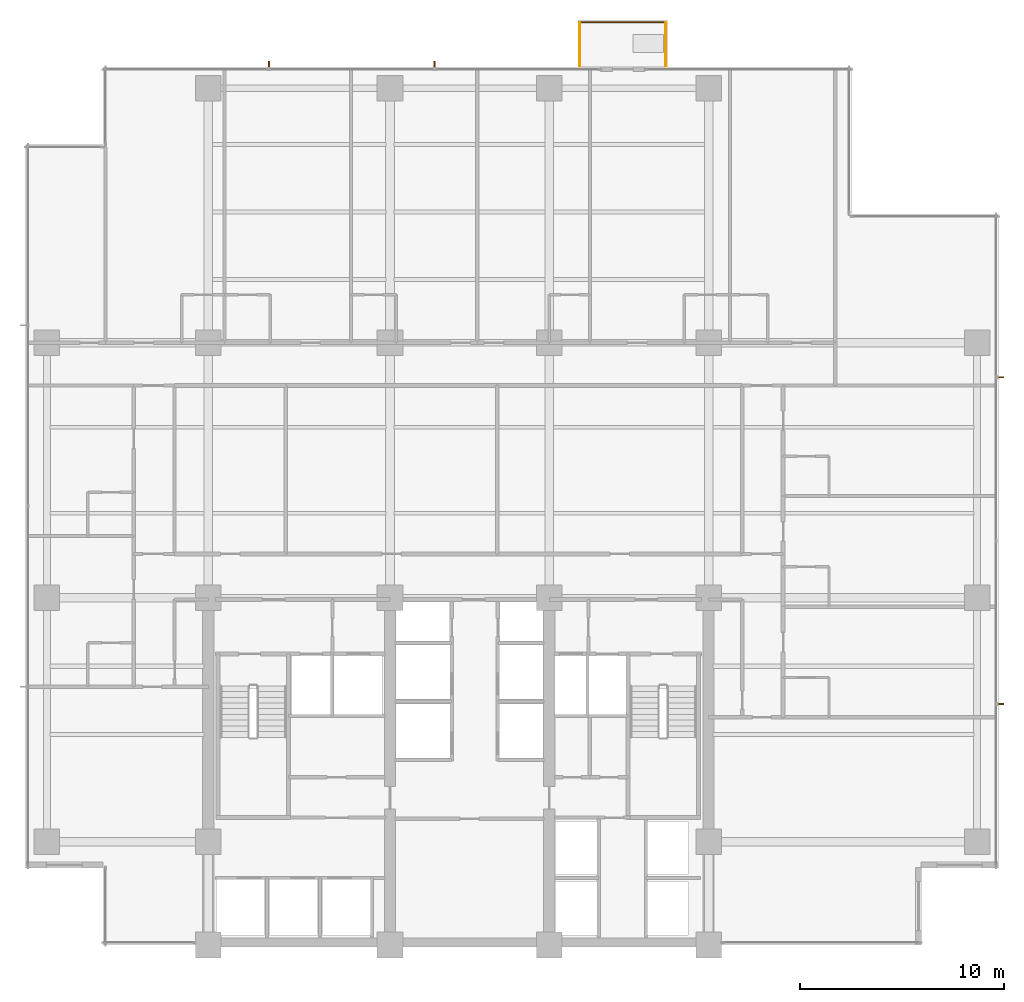
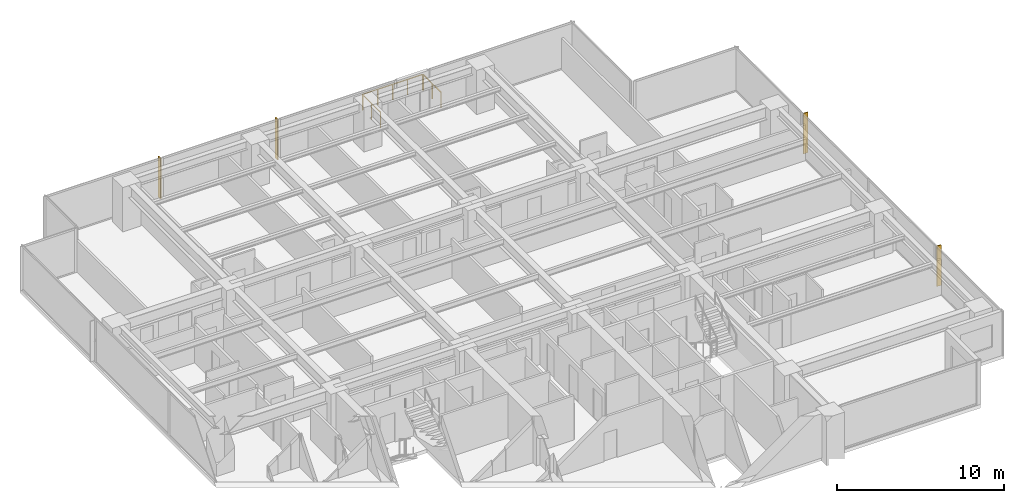
# One storey, part 17 of 17: 4 shading devices, 3 railings.
"""IFC4 building model written with IfcOpenShell, lengths in metres."""

import ifcopenshell
import ifcopenshell.guid

model = None  # the IFC model being written
_history = None  # IfcOwnerHistory: only IFC2X3 demands one
_inside = {}  # id of a spatial element -> (the spatial element, [elements in it])
_under = {}  # id of a project, library or spatial element -> (it, [spatial elements below it])
_declared = {}  # id of a project -> (the project, [libraries it declares])
_typed = {}  # id of a type object -> (the type object, [elements of that type])
_made_of = {}  # id of a material, layer set ... -> (it, [elements and type objects made of it])


def new_model(schema):
    """Start an empty IFC model of exactly this schema.

    Asked for "IFC4X3", IfcOpenShell would pick the latest addendum, in which some entities
    have other attributes; the version numbers below select the first issue.
    IFC2X3 requires an IfcOwnerHistory on every rooted entity: one is made here for all.
    """
    global model, _history
    if schema == "IFC4X3":
        model = ifcopenshell.file(schema_version=(4, 3, 0, 0))
    else:
        model = ifcopenshell.file(schema=schema)
    _inside.clear()
    _under.clear()
    _declared.clear()
    _typed.clear()
    _made_of.clear()
    _history = None
    if model.schema == "IFC2X3":
        org = make("IfcOrganization", Name="unknown")
        user = make(
            "IfcPersonAndOrganization",
            ThePerson=make("IfcPerson", FamilyName="unknown"),
            TheOrganization=org,
        )
        app = make(
            "IfcApplication",
            ApplicationDeveloper=org,
            Version="unknown",
            ApplicationFullName="unknown",
            ApplicationIdentifier="unknown",
        )
        _history = make(
            "IfcOwnerHistory",
            OwningUser=user,
            OwningApplication=app,
            ChangeAction="ADDED",
            CreationDate=0,
        )
    return model


def make(cls, **values):
    """One entity of the class cls with the attributes given. An attribute that is None is left unset."""
    return model.create_entity(
        cls, **{name: value for name, value in values.items() if value is not None}
    )


def rooted(cls, **values):
    """An entity with a GlobalId (a new one), such as an element, a storey or a relation."""
    return make(cls, GlobalId=ifcopenshell.guid.new(), OwnerHistory=_history, **values)


def si_unit(unit_type, name, prefix=None):
    """IfcSIUnit, for example si_unit("LENGTHUNIT", "METRE", prefix="MILLI")."""
    return make("IfcSIUnit", UnitType=unit_type, Prefix=prefix, Name=name)


def assignment(units):
    """IfcUnitAssignment: the units of a project."""
    return None if units is None else make("IfcUnitAssignment", Units=units)


def point(xyz):
    """IfcCartesianPoint."""
    return None if xyz is None else make("IfcCartesianPoint", Coordinates=xyz)


def direction(xyz):
    """IfcDirection."""
    return None if xyz is None else make("IfcDirection", DirectionRatios=xyz)


def frame(location, z_axis=None, x_axis=None):
    """IfcAxis2Placement3D, a coordinate frame: its origin and axes. An axis left out is left unset."""
    return make(
        "IfcAxis2Placement3D",
        Location=point(location),
        Axis=direction(z_axis),
        RefDirection=direction(x_axis),
    )


def frame_2d(location, x_axis=None):
    """IfcAxis2Placement2D, a coordinate frame in the plane: its origin and x axis."""
    return make(
        "IfcAxis2Placement2D", Location=point(location), RefDirection=direction(x_axis)
    )


def origin():
    """The frame at (0, 0, 0) with its axes left unset."""
    return frame((0.0, 0.0, 0.0))


def origin_2d():
    """The frame at (0, 0) in the plane with its x axis left unset."""
    return frame_2d((0.0, 0.0))


def place(relative_to, where):
    """IfcLocalPlacement: puts the frame where relative to a parent placement (None: the world)."""
    return make(
        "IfcLocalPlacement", PlacementRelTo=relative_to, RelativePlacement=where
    )


def context(
    kind, dimensions, precision=None, world=None, true_north=None, identifier=None
):
    """IfcGeometricRepresentationContext, for example the 3D "Model" context."""
    return make(
        "IfcGeometricRepresentationContext",
        ContextIdentifier=identifier,
        ContextType=kind,
        CoordinateSpaceDimension=dimensions,
        Precision=precision,
        WorldCoordinateSystem=world,
        TrueNorth=true_north,
    )


def subcontext(parent, identifier, kind, view, scale=None):
    """IfcGeometricRepresentationSubContext, for example "Body" below "Model"."""
    return make(
        "IfcGeometricRepresentationSubContext",
        ContextIdentifier=identifier,
        ContextType=kind,
        ParentContext=parent,
        TargetScale=scale,
        TargetView=view,
    )


def project(units=None, contexts=None):
    """IfcProject with its units and contexts."""
    return rooted(
        "IfcProject",
        Name="project",
        RepresentationContexts=contexts,
        UnitsInContext=assignment(units),
    )


def spatial(cls, under=None, at=None, **own):
    """A site, building, storey or space (cls), placed at a placement, below another one or the project."""
    s = rooted(cls, ObjectPlacement=at, **own)
    if under is not None:
        _under.setdefault(under.id(), (under, []))[1].append(s)
    return s


def polyline(points):
    """IfcPolyline through the points."""
    return make("IfcPolyline", Points=[point(p) for p in points])


def profile(cls, at=None, kind="AREA", **sizes):
    """A parametric profile (cls). Its sizes go by their IFC names, for example OverallWidth=200.0."""
    return make(cls, ProfileType=kind, Position=at, **sizes)


def circle(**sizes):
    """IfcCircleProfileDef."""
    return profile("IfcCircleProfileDef", **sizes)


def outline(outer, holes=None, kind="AREA"):
    """IfcArbitraryClosedProfileDef: a profile drawn as a closed curve; with holes, ...WithVoids."""
    if holes is None:
        return make("IfcArbitraryClosedProfileDef", ProfileType=kind, OuterCurve=outer)
    return make(
        "IfcArbitraryProfileDefWithVoids",
        ProfileType=kind,
        OuterCurve=outer,
        InnerCurves=holes,
    )


def extrude(swept, where, along, depth):
    """IfcExtrudedAreaSolid: the profile swept, set in the frame where, extruded along a direction by depth."""
    return make(
        "IfcExtrudedAreaSolid",
        SweptArea=swept,
        Position=where,
        ExtrudedDirection=direction(along),
        Depth=depth,
    )


def shape(context_of_items, identifier, shape_type, items):
    """IfcShapeRepresentation: the items that make up one representation, for example the "Body"."""
    return make(
        "IfcShapeRepresentation",
        ContextOfItems=context_of_items,
        RepresentationIdentifier=identifier,
        RepresentationType=shape_type,
        Items=items,
    )


def material(Name=None, Category=None):
    """IfcMaterial."""
    return make("IfcMaterial", Name=Name, Category=Category)


def layer(
    of_material, thickness, ventilated=None, Name=None, Category=None, Priority=None
):
    """IfcMaterialLayer: one layer of a wall or slab, of a material (None: an air gap)."""
    return make(
        "IfcMaterialLayer",
        Material=of_material,
        LayerThickness=thickness,
        IsVentilated=ventilated,
        Name=Name,
        Category=Category,
        Priority=Priority,
    )


def layer_set(layers, Name=None):
    """IfcMaterialLayerSet."""
    return make("IfcMaterialLayerSet", MaterialLayers=layers, LayerSetName=Name)


def made_of(thing, what):
    """Note that an element or type object is made of a material, layer set ...; save() writes the relation."""
    if what is not None:
        _made_of.setdefault(what.id(), (what, []))[1].append(thing)
    return thing


def type_object(cls, material=None, **own):
    """A type object (cls), such as IfcWallType, which elements share."""
    return made_of(rooted(cls, **own), material)


def element(
    cls,
    number,
    at=None,
    inside=None,
    cuts=None,
    type_object=None,
    material=None,
    context=None,
    identifier="Body",
    shape_type=None,
    held_by="IfcProductDefinitionShape",
    body=None,
    shapes=None,
    **own,
):
    """One element of the class cls, such as IfcWall. Its Tag is "e" and its number.

    at: its placement. inside: the storey or other place that contains it. cuts: it is an
    opening in that element (IfcRelVoidsElement). A single representation is given by context,
    identifier, shape_type and body (its items); several are given by shapes. held_by: the class
    of the entity that holds the representations. save() writes the other relations.
    """
    e = rooted(cls, Tag="e%d" % number, ObjectPlacement=at, **own)
    if body is not None:
        shapes = [shape(context, identifier, shape_type, body)]
    if shapes is not None:
        e.Representation = make(held_by, Representations=shapes)
    if inside is not None:
        _inside.setdefault(inside.id(), (inside, []))[1].append(e)
    if cuts is not None:
        rooted(
            "IfcRelVoidsElement", RelatingBuildingElement=cuts, RelatedOpeningElement=e
        )
    if type_object is not None:
        _typed.setdefault(type_object.id(), (type_object, []))[1].append(e)
    return made_of(e, material)


def aggregate(whole, parts):
    """IfcRelAggregates: a whole, such as a stair, and the parts it consists of."""
    return rooted("IfcRelAggregates", RelatingObject=whole, RelatedObjects=parts)


def save(model, path):
    """Write the relations noted so far, then the file.

    IfcRelAggregates (storeys below a building ...), IfcRelContainedInSpatialStructure (elements
    in a storey), IfcRelDefinesByType, IfcRelAssociatesMaterial and IfcRelDeclares: one each for
    every whole, place, type object, material and project.
    """
    for whole, parts in _under.values():
        aggregate(whole, parts)
    for where, things in _inside.values():
        rooted(
            "IfcRelContainedInSpatialStructure",
            RelatedElements=things,
            RelatingStructure=where,
        )
    for kind, things in _typed.values():
        rooted("IfcRelDefinesByType", RelatedObjects=things, RelatingType=kind)
    for what, things in _made_of.values():
        rooted("IfcRelAssociatesMaterial", RelatedObjects=things, RelatingMaterial=what)
    for by, libraries in _declared.values():
        rooted("IfcRelDeclares", RelatingContext=by, RelatedDefinitions=libraries)
    model.write(path)


model = new_model("IFC4")

# Units and contexts
model_context = context("Model", 3, precision=1e-05, world=origin(), true_north=direction((0.0, 1.0)))
body_context = subcontext(model_context, "Body", "Model", "MODEL_VIEW")
ifc_project = project(units=[si_unit("LENGTHUNIT", "METRE"), si_unit("AREAUNIT", "SQUARE_METRE"), si_unit("VOLUMEUNIT", "CUBIC_METRE"), si_unit("PLANEANGLEUNIT", "RADIAN"), si_unit("MASSUNIT", "GRAM", prefix="KILO")], contexts=[model_context])

# Site, building, storey
site_placement = place(None, origin())
site = spatial("IfcSite", under=ifc_project, at=site_placement, CompositionType="ELEMENT")
building_placement = place(site_placement, origin())
building = spatial("IfcBuilding", under=site, at=building_placement, Name="Qalmaran Belvedere Hotel", CompositionType="ELEMENT")
storey_placement = place(building_placement, frame((0.0, 0.0, 102.199951171875)))
storey = spatial("IfcBuildingStorey", under=building, at=storey_placement, Name="L25", CompositionType="ELEMENT", Elevation=102.199951171875)

# Shading devices
ifc_material = material(Name="Anodised Bronze Aluminium", Category="aluminium")
ifc_layer = layer(ifc_material, 0.06494140625, Name="Anodised Bronze Aluminium")
ifc_layer_set = layer_set([ifc_layer], Name="Anodised Bronze Aluminium")
shading_device_type = type_object("IfcShadingDeviceType", Name="FIN-BRNZ-300", PredefinedType="USERDEFINED", material=ifc_layer_set)
shading_device_1_placement = place(storey_placement, frame((0.0, 0.0, 0.16015625)))
element("IfcShadingDevice", 1, at=shading_device_1_placement, inside=storey, type_object=shading_device_type, Name="L25 Bronze Fin 1", ObjectType="FIN", PredefinedType="USERDEFINED", context=body_context, shape_type="SweptSolid", body=[
    extrude(outline(polyline([(58.969970703125, 15.267578125), (59.27001953125, 15.267578125), (59.27001953125, 15.33251953125), (58.969970703125, 15.33251953125), (58.969970703125, 15.267578125)])), origin(), (0.0, 0.0, 1.0), 2.9599609375),
])
shading_device_2_placement = place(storey_placement, frame((0.0, 0.0, 0.16015625)))
element("IfcShadingDevice", 2, at=shading_device_2_placement, inside=storey, type_object=shading_device_type, Name="L25 Bronze Fin 3", ObjectType="FIN", PredefinedType="USERDEFINED", context=body_context, shape_type="SweptSolid", body=[
    extrude(outline(polyline([(58.969970703125, 31.267578125), (59.27001953125, 31.267578125), (59.27001953125, 31.33251953125), (58.969970703125, 31.33251953125), (58.969970703125, 31.267578125)])), origin(), (0.0, 0.0, 1.0), 2.9599609375),
])
shading_device_3_placement = place(storey_placement, frame((0.0, 0.0, 0.16015625)))
element("IfcShadingDevice", 3, at=shading_device_3_placement, inside=storey, type_object=shading_device_type, Name="L25 Bronze Fin 1", ObjectType="FIN", PredefinedType="USERDEFINED", context=body_context, shape_type="SweptSolid", body=[
    extrude(outline(polyline([(31.415771484375, 46.469970703125), (31.415771484375, 46.77001953125), (31.350830078125, 46.77001953125), (31.350830078125, 46.469970703125), (31.415771484375, 46.469970703125)])), origin(), (0.0, 0.0, 1.0), 2.9599609375),
])
shading_device_4_placement = place(storey_placement, frame((0.0, 0.0, 0.16015625)))
element("IfcShadingDevice", 4, at=shading_device_4_placement, inside=storey, type_object=shading_device_type, Name="L25 Bronze Fin 2", ObjectType="FIN", PredefinedType="USERDEFINED", context=body_context, shape_type="SweptSolid", body=[
    extrude(outline(polyline([(23.29931640625, 46.469970703125), (23.29931640625, 46.77001953125), (23.234130859375, 46.77001953125), (23.234130859375, 46.469970703125), (23.29931640625, 46.469970703125)])), origin(), (0.0, 0.0, 1.0), 2.9599609375),
])

# Railings
railing_type = type_object("IfcRailingType", Name="GRD-BAL-1150", PredefinedType="BALUSTRADE", material=ifc_material)
railing_1_placement = place(storey_placement, frame((38.5, 46.534912109375, 0.0)))
element("IfcRailing", 5, at=railing_1_placement, inside=storey, type_object=railing_type, Name="L25 Guardrail BAL-L25-N-1", PredefinedType="BALUSTRADE", context=body_context, shape_type="SweptSolid", body=[
    extrude(circle(Radius=0.02392578125, at=origin_2d()), frame((0.0, 0.0, 1.1259765625), z_axis=(0.0, 1.0, 0.0), x_axis=(-1.0, 0.0, 0.0)), (0.0, 0.0, 1.0), 2.130126953125),
    extrude(circle(Radius=0.02099609375, at=origin_2d()), origin(), (0.0, 0.0, 1.0), 1.101806640625),
    extrude(circle(Radius=0.02099609375, at=origin_2d()), frame((0.0, 1.06494140625, 0.0)), (0.0, 0.0, 1.0), 1.101806640625),
    extrude(circle(Radius=0.02099609375, at=origin_2d()), frame((0.0, 2.130126953125, 0.0)), (0.0, 0.0, 1.0), 1.101806640625),
])
railing_2_placement = place(storey_placement, frame((38.534912109375, 48.699951171875, 0.0)))
element("IfcRailing", 6, at=railing_2_placement, inside=storey, type_object=railing_type, Name="L25 Guardrail BAL-L25-N-2", PredefinedType="BALUSTRADE", context=body_context, shape_type="SweptSolid", body=[
    extrude(circle(Radius=0.02392578125, at=origin_2d()), frame((0.0, 0.0, 1.1259765625), z_axis=(1.0, 0.0, 0.0), x_axis=(0.0, 1.0, 0.0)), (0.0, 0.0, 1.0), 4.130126953125),
    extrude(circle(Radius=0.02099609375, at=origin_2d()), origin(), (0.0, 0.0, 1.0), 1.101806640625),
    extrude(circle(Radius=0.02099609375, at=origin_2d()), frame((1.032470703125, 0.0, 0.0)), (0.0, 0.0, 1.0), 1.101806640625),
    extrude(circle(Radius=0.02099609375, at=origin_2d()), frame((2.06494140625, 0.0, 0.0)), (0.0, 0.0, 1.0), 1.101806640625),
    extrude(circle(Radius=0.02099609375, at=origin_2d()), frame((3.09765625, 0.0, 0.0)), (0.0, 0.0, 1.0), 1.101806640625),
    extrude(circle(Radius=0.02099609375, at=origin_2d()), frame((4.130126953125, 0.0, 0.0)), (0.0, 0.0, 1.0), 1.101806640625),
])
railing_3_placement = place(storey_placement, frame((42.699951171875, 48.6650390625, 0.0)))
element("IfcRailing", 7, at=railing_3_placement, inside=storey, type_object=railing_type, Name="L25 Guardrail BAL-L25-N-3", PredefinedType="BALUSTRADE", context=body_context, shape_type="SweptSolid", body=[
    extrude(circle(Radius=0.02392578125, at=origin_2d()), frame((0.0, 0.0, 1.1259765625), z_axis=(0.0, -1.0, 0.0), x_axis=(1.0, 0.0, 0.0)), (0.0, 0.0, 1.0), 2.130126953125),
    extrude(circle(Radius=0.02099609375, at=origin_2d()), origin(), (0.0, 0.0, 1.0), 1.101806640625),
    extrude(circle(Radius=0.02099609375, at=origin_2d()), frame((0.0, -1.06494140625, 0.0)), (0.0, 0.0, 1.0), 1.101806640625),
    extrude(circle(Radius=0.02099609375, at=origin_2d()), frame((0.0, -2.130126953125, 0.0)), (0.0, 0.0, 1.0), 1.101806640625),
])

save(model, "model.ifc")
